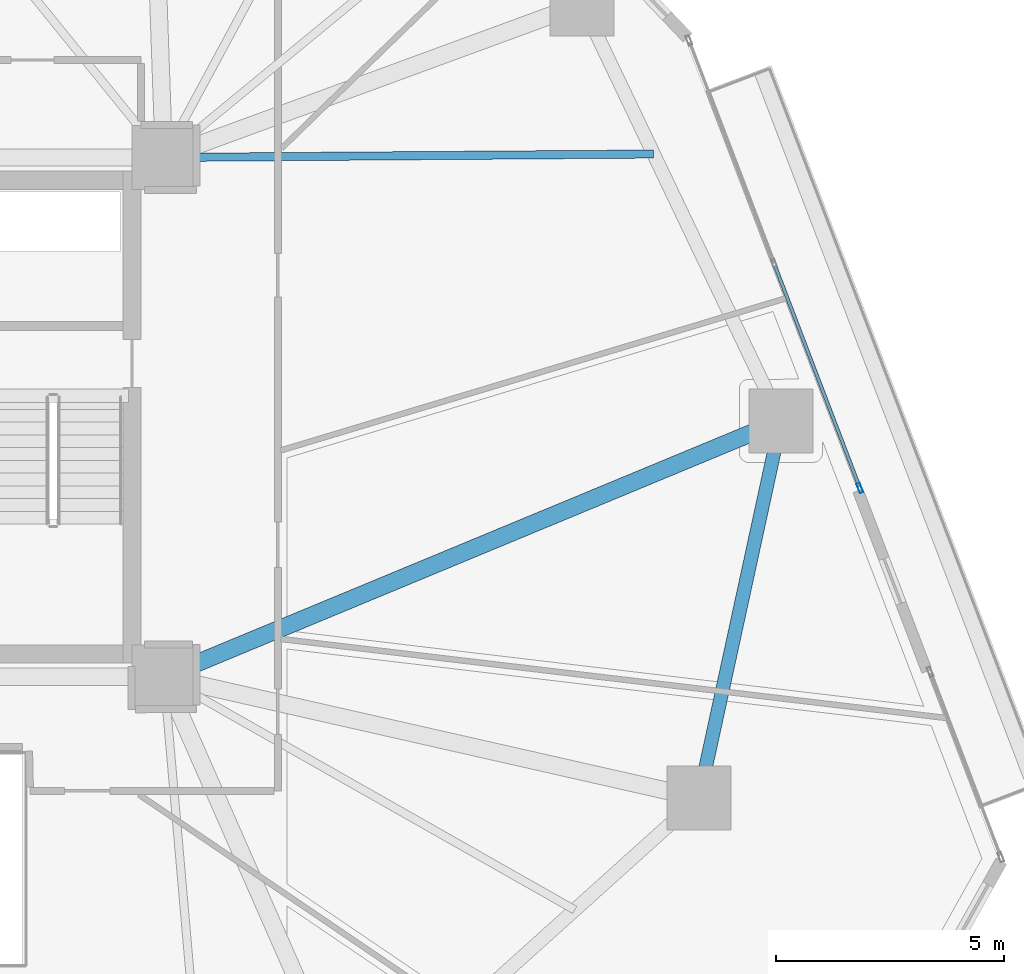
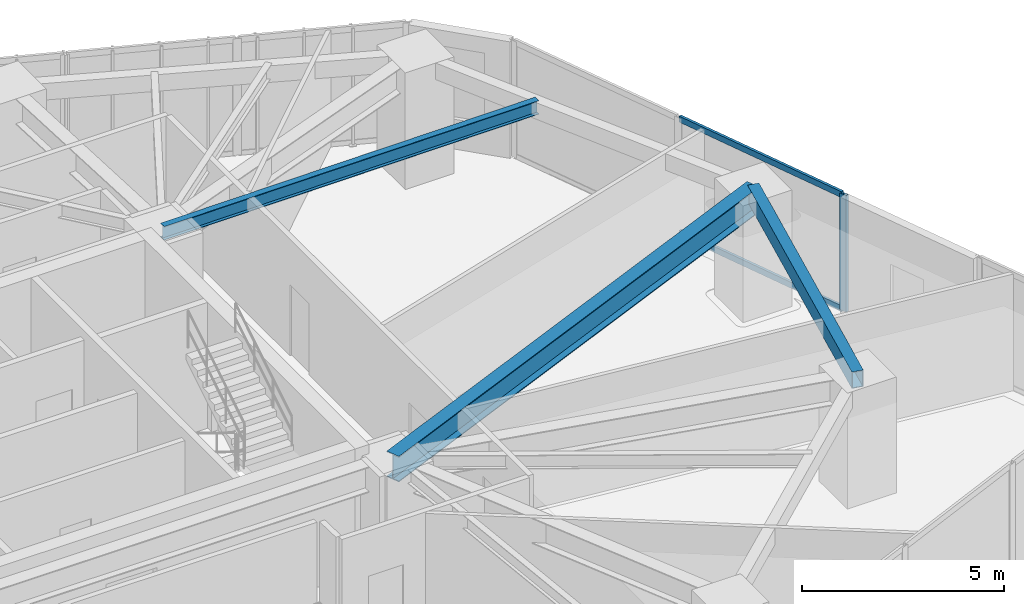
# One storey, part 11 of 23: 3 beams, 3 members, 1 element without a shape of its own.
"""IFC4 building model written with IfcOpenShell, lengths in metres."""

from ifc_helpers import new_model, si_unit, direction, frame, origin, origin_2d, place, context, subcontext, project, spatial, hollow_rectangle, i_section, extrude, source, transform, mapped, material, layer, layer_set, material_profile, profile_set, type_object, type_shapes, element, aggregate, save


model = new_model("IFC4")

# Units and contexts
model_context = context("Model", 3, precision=1e-05, world=origin(), true_north=direction((0.0, 1.0)))
body_context = subcontext(model_context, "Body", "Model", "MODEL_VIEW")
ifc_project = project(units=[si_unit("LENGTHUNIT", "METRE"), si_unit("AREAUNIT", "SQUARE_METRE"), si_unit("VOLUMEUNIT", "CUBIC_METRE"), si_unit("PLANEANGLEUNIT", "RADIAN"), si_unit("MASSUNIT", "GRAM", prefix="KILO")], contexts=[model_context])

# Site, building, storey
site_placement = place(None, origin())
site = spatial("IfcSite", under=ifc_project, at=site_placement, CompositionType="ELEMENT")
building_placement = place(site_placement, origin())
building = spatial("IfcBuilding", under=site, at=building_placement, Name="Talar Marvaseh", CompositionType="ELEMENT")
storey_placement = place(building_placement, frame((0.0, 0.0, 27.800048828125)))
storey = spatial("IfcBuildingStorey", under=building, at=storey_placement, Name="L06", CompositionType="ELEMENT", Elevation=27.800048828125)

# Beams
ifc_material_1 = material(Name="Steel S355", Category="steel")
ifc_material_profile_1 = material_profile(ifc_material_1, hollow_rectangle(XDim=0.300048828125, YDim=0.5, WallThickness=0.02001953125, at=origin_2d()), Name="RHS500x300x20")
ifc_profile_set_1 = profile_set([ifc_material_profile_1], Name="Steel S355")
beam_type_1 = type_object("IfcBeamType", Name="Zone 1 Perimeter Spandrel Beam RHS500x300x20", PredefinedType="SPANDREL", material=ifc_profile_set_1)
beam_1_placement = place(storey_placement, frame((46.841064453125, 31.118896484375, 3.27001953125), z_axis=(-0.212134113363, -0.977240562987, 0.0), x_axis=(0.977240562987, -0.212134113363, 0.0)))
element("IfcBeam", 1, at=beam_1_placement, inside=storey, type_object=beam_type_1, Name="L06 Zone 1 Perimeter Spandrel Beam RHS500x300x20", PredefinedType="SPANDREL", context=body_context, shape_type="SweptSolid", body=[
    extrude(hollow_rectangle(XDim=0.300048828125, YDim=0.5, WallThickness=0.02001953125, at=origin_2d()), origin(), (0.0, 0.0, 1.0), 8.4716796875),
])
ifc_material_profile_2 = material_profile(ifc_material_1, i_section(OverallWidth=0.381103515625, OverallDepth=0.77294921875, WebThickness=0.0166015625, FlangeThickness=0.027099609375, at=origin_2d()), Name="W760x257")
ifc_profile_set_2 = profile_set([ifc_material_profile_2], Name="Steel S355")
beam_type_2 = type_object("IfcBeamType", Name="Zone 1 Radial Floor Girder W760x257", PredefinedType="BEAM", material=ifc_profile_set_2)
beam_2_placement = place(storey_placement, frame((46.841064453125, 31.118896484375, 3.133544921875), z_axis=(-0.923637605375, -0.383266974753, 0.0), x_axis=(0.383266974753, -0.923637605375, 0.0)))
element("IfcBeam", 2, at=beam_2_placement, inside=storey, type_object=beam_type_2, Name="L06 Zone 1 Radial Floor Girder W760x257", PredefinedType="BEAM", context=body_context, shape_type="SweptSolid", body=[
    extrude(i_section(OverallWidth=0.381103515625, OverallDepth=0.77294921875, WebThickness=0.0166015625, FlangeThickness=0.027099609375, at=origin_2d()), origin(), (0.0, 0.0, 1.0), 14.66064453125),
])
ifc_material_profile_3 = material_profile(ifc_material_1, i_section(OverallWidth=0.179931640625, OverallDepth=0.4130859375, WebThickness=0.009765625, FlangeThickness=0.01611328125, at=origin_2d()), Name="W410x75")
ifc_profile_set_3 = profile_set([ifc_material_profile_3], Name="Steel S355")
beam_type_3 = type_object("IfcBeamType", Name="Zone 1 Secondary Floor Joist W410x75", PredefinedType="JOIST", material=ifc_profile_set_3)
beam_3_placement = place(storey_placement, frame((44.048095703125, 36.97509765625, 3.3134765625), z_axis=(-0.999975527604, -0.006996012686, 0.0), x_axis=(0.006996012686, -0.999975527604, 0.0)))
element("IfcBeam", 3, at=beam_3_placement, inside=storey, type_object=beam_type_3, Name="L06 Zone 1 Secondary Floor Joist W410x75", PredefinedType="JOIST", context=body_context, shape_type="SweptSolid", body=[
    extrude(i_section(OverallWidth=0.179931640625, OverallDepth=0.4130859375, WebThickness=0.009765625, FlangeThickness=0.01611328125, at=origin_2d()), origin(), (0.0, 0.0, 1.0), 10.748291015625),
])

# Curtain wall, members
ifc_material_2 = material(Name="Architectural Aluminium", Category="aluminium")
ifc_layer = layer(ifc_material_2, 0.219970703125)
ifc_layer_set = layer_set([ifc_layer], Name="Architectural Aluminium")
curtain_wall_type = type_object("IfcCurtainWallType", Name="Unitised Low-E Museum Curtain Wall Z1", PredefinedType="NOTDEFINED", material=ifc_layer_set)
curtain_wall_placement = place(storey_placement, origin())
curtain_wall = element("IfcCurtainWall", 4, at=curtain_wall_placement, inside=storey, type_object=curtain_wall_type, Name="L06 Unitised Low-E Museum Curtain Wall Z1", PredefinedType="NOTDEFINED")
ifc_material_profile_4 = material_profile(ifc_material_2, hollow_rectangle(XDim=0.080078125, YDim=0.219970703125, WallThickness=0.0048828125, at=origin_2d()), Name="RHS220x80x5")
ifc_profile_set_4 = profile_set([ifc_material_profile_4], Name="Architectural Aluminium")
member_type_1 = type_object("IfcMemberType", Name="Unitised Curtain Wall Heavy Mullion RHS220x80x5", PredefinedType="MULLION", material=ifc_profile_set_4)
shared_shape_1 = source(origin(), body_context, "Body", "SweptSolid", [
    extrude(hollow_rectangle(XDim=0.080078125, YDim=0.219970703125, WallThickness=0.0048828125, at=origin_2d()), origin(), (0.0, 0.0, 1.0), 3.52001953125),
])
type_shapes(member_type_1, [shared_shape_1])
member_1_placement = place(storey_placement, frame((48.57568359375, 29.6435546875, 0.0), z_axis=(0.0, 0.0, 1.0), x_axis=(0.934179271145, 0.356803992918, 0.0)))
member_1 = element("IfcMember", 5, at=member_1_placement, type_object=member_type_1, Name="CW-Z1 mullion 3", PredefinedType="MULLION", context=body_context, shape_type="MappedRepresentation", body=[
    mapped(shared_shape_1, transform((0.0, 0.0, 0.0), x_axis=(1.0, 0.0, 0.0), y_axis=(0.0, 1.0, 0.0), z_axis=(0.0, 0.0, 1.0), scale=1.0)),
])
ifc_material_profile_5 = material_profile(ifc_material_2, hollow_rectangle(XDim=0.074951171875, YDim=0.179931640625, WallThickness=0.0048828125, at=origin_2d()), Name="RHS180x75x5")
ifc_profile_set_5 = profile_set([ifc_material_profile_5], Name="Architectural Aluminium")
member_type_2 = type_object("IfcMemberType", Name="Unitised Curtain Wall Transom RHS180x75x5", PredefinedType="USERDEFINED", material=ifc_profile_set_5)
shared_shape_2 = source(origin(), body_context, "Body", "SweptSolid", [
    extrude(hollow_rectangle(XDim=0.074951171875, YDim=0.179931640625, WallThickness=0.0048828125, at=origin_2d()), origin(), (0.0, 0.0, 1.0), 5.17822265625),
])
type_shapes(member_type_2, [shared_shape_2])
member_2_placement = place(storey_placement, frame((46.7138671875, 34.518310546875, 0.037353515625), z_axis=(0.356810793675, -0.93417667361, 0.0), x_axis=(0.93417667361, 0.356810793675, 0.0)))
member_2 = element("IfcMember", 6, at=member_2_placement, type_object=member_type_2, Name="CW-Z1 transom 2.1", ObjectType="TRANSOM", PredefinedType="USERDEFINED", context=body_context, shape_type="MappedRepresentation", body=[
    mapped(shared_shape_2, transform((0.0, 0.0, 0.0), x_axis=(1.0, 0.0, 0.0), y_axis=(0.0, 1.0, 0.0), z_axis=(0.0, 0.0, 1.0), scale=1.0)),
])
member_3_placement = place(storey_placement, frame((46.7138671875, 34.518310546875, 3.482421875), z_axis=(0.356810793675, -0.93417667361, 0.0), x_axis=(0.93417667361, 0.356810793675, 0.0)))
member_3 = element("IfcMember", 7, at=member_3_placement, type_object=member_type_2, Name="CW-Z1 transom 2.2", ObjectType="TRANSOM", PredefinedType="USERDEFINED", context=body_context, shape_type="MappedRepresentation", body=[
    mapped(shared_shape_2, transform((0.0, 0.0, 0.0), x_axis=(1.0, 0.0, 0.0), y_axis=(0.0, 1.0, 0.0), z_axis=(0.0, 0.0, 1.0), scale=1.0)),
])
aggregate(curtain_wall, [member_1, member_2, member_3])

save(model, "model.ifc")
